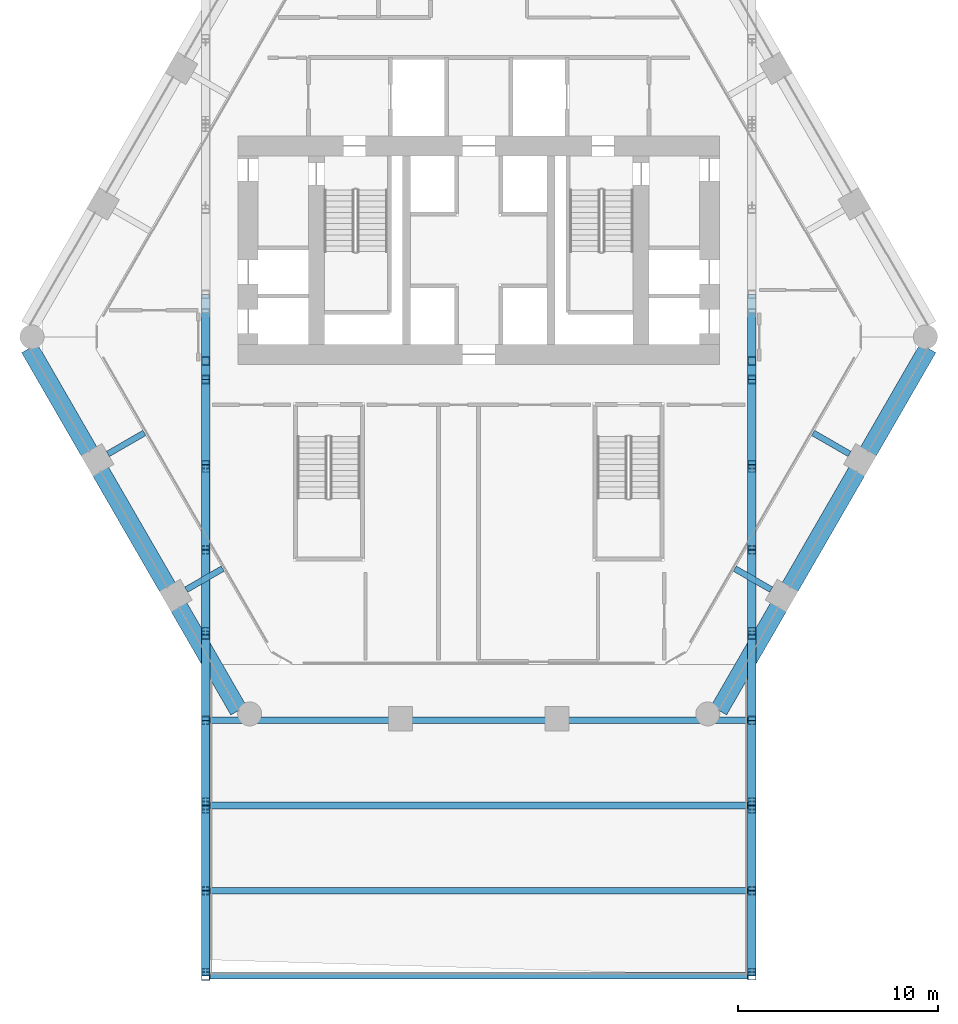
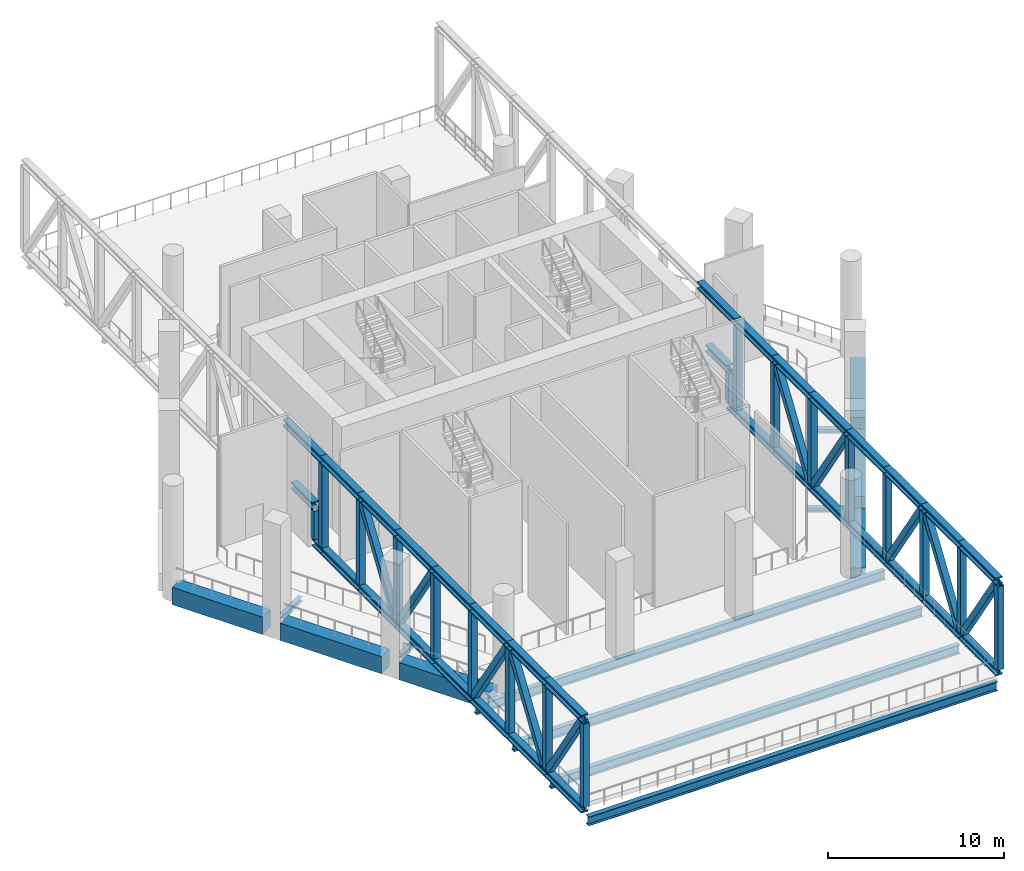
# One storey, part 2 of 16: 62 members, 14 beams.
"""IFC4 building model written with IfcOpenShell, lengths in metres."""

from ifc_helpers import new_model, si_unit, direction, frame, origin, origin_2d, place, context, subcontext, project, spatial, rectangle, hollow_rectangle, i_section, extrude, material, material_profile, profile_set, type_object, element, save


model = new_model("IFC4")

# Units and contexts
model_context = context("Model", 3, precision=1e-05, world=origin(), true_north=direction((0.0, 1.0)))
body_context = subcontext(model_context, "Body", "Model", "MODEL_VIEW")
ifc_project = project(units=[si_unit("LENGTHUNIT", "METRE"), si_unit("AREAUNIT", "SQUARE_METRE"), si_unit("VOLUMEUNIT", "CUBIC_METRE"), si_unit("PLANEANGLEUNIT", "RADIAN"), si_unit("MASSUNIT", "GRAM", prefix="KILO")], contexts=[model_context])

# Site, building, storey
site_placement = place(None, origin())
site = spatial("IfcSite", under=ifc_project, at=site_placement, CompositionType="ELEMENT")
building_placement = place(site_placement, origin())
building = spatial("IfcBuilding", under=site, at=building_placement, Name="Ostrander Bayou Hotel Tower", CompositionType="ELEMENT")
storey_placement = place(building_placement, frame((0.0, 0.0, 108.0)))
storey = spatial("IfcBuildingStorey", under=building, at=storey_placement, Name="L27", CompositionType="ELEMENT", Elevation=108.0)

# Beams
ifc_material_1 = material(Name="Steel ASTM A992", Category="steel")
ifc_material_profile_1 = material_profile(ifc_material_1, i_section(OverallWidth=0.3046875, OverallDepth=0.307861328125, WebThickness=0.010009765625, FlangeThickness=0.015380859375, at=origin_2d()))
ifc_profile_set_1 = profile_set([ifc_material_profile_1], Name="Steel ASTM A992")
beam_type_1 = type_object("IfcBeamType", Name="LB1 loggia bracket W12x65", PredefinedType="BEAM", material=ifc_profile_set_1)
for number, where, z_axis, x_axis, name in (
    (1, (-18.494384765625, -6.166748046875, -0.453857421875), (0.866009402589, 0.500027713859, 0.0), (-0.500027713859, 0.866009402589, 0.0), "LB1 L27 SW1"),
    (2, (-14.587646484375, -12.933349609375, -0.453857421875), (0.866009402589, 0.500027713859, 0.0), (-0.500027713859, 0.866009402589, 0.0), "LB1 L27 SW2"),
    (3, (14.587646484375, -12.933349609375, -0.453857421875), (-0.866009402589, 0.500027713859, 0.0), (-0.500027713859, -0.866009402589, 0.0), "LB1 L27 SE1"),
    (4, (18.494384765625, -6.166748046875, -0.453857421875), (-0.866009402589, 0.500027713859, 0.0), (-0.500027713859, -0.866009402589, 0.0), "LB1 L27 SE2"),
):
    element("IfcBeam", number, at=place(storey_placement, frame(where, z_axis=z_axis, x_axis=x_axis)), inside=storey, type_object=beam_type_1, Name=name, PredefinedType="BEAM", context=body_context, shape_type="SweptSolid", body=[
        extrude(i_section(OverallWidth=0.3046875, OverallDepth=0.307861328125, WebThickness=0.010009765625, FlangeThickness=0.015380859375, at=origin_2d()), origin(), (0.0, 0.0, 1.0), 2.10009765625),
    ])
ifc_material_2 = material(Name="Concrete f'c 70 MPa", Category="concrete")
ifc_material_profile_2 = material_profile(ifc_material_2, rectangle(XDim=0.89990234375, YDim=1.199951171875, at=origin_2d()))
ifc_profile_set_2 = profile_set([ifc_material_profile_2], Name="Concrete f'c 70 MPa")
beam_type_2 = type_object("IfcBeamType", Name="SP2 spandrel beam 900 x 1200 mm f'c 70 MPa", PredefinedType="SPANDREL", material=ifc_profile_set_2)
beam_1_placement = place(storey_placement, frame((-22.406494140625, -0.890869140625, -0.60009765625), z_axis=(0.500001626982, -0.866024464444, 0.0), x_axis=(0.866024464444, 0.500001626982, 0.0)))
element("IfcBeam", 5, at=beam_1_placement, inside=storey, type_object=beam_type_2, Name="SP2 L27 SW-1", PredefinedType="SPANDREL", context=body_context, shape_type="SweptSolid", body=[
    extrude(rectangle(XDim=0.89990234375, YDim=1.199951171875, at=origin_2d()), origin(), (0.0, 0.0, 1.0), 5.955078125),
])
beam_2_placement = place(storey_placement, frame((-18.85888671875, -7.035400390625, -0.60009765625), z_axis=(0.499999023957, -0.866025967302, 0.0), x_axis=(0.866025967302, 0.499999023957, 0.0)))
element("IfcBeam", 6, at=beam_2_placement, inside=storey, type_object=beam_type_2, Name="SP2 L27 SW-2", PredefinedType="SPANDREL", context=body_context, shape_type="SweptSolid", body=[
    extrude(rectangle(XDim=0.89990234375, YDim=1.199951171875, at=origin_2d()), origin(), (0.0, 0.0, 1.0), 6.67333984375),
])
for number, where, z_axis, x_axis, name in (
    (7, (-14.9521484375, -13.802001953125, -0.60009765625), (0.499988630717, -0.866031967744, 0.0), (0.866031967744, 0.499988630717, 0.0), "SP2 L27 SW-3"),
    (8, (11.974853515625, -18.958984375, -0.60009765625), (0.499988630717, 0.866031967744, 0.0), (-0.866031967744, 0.499988630717, 0.0), "SP2 L27 SE-1"),
):
    element("IfcBeam", number, at=place(storey_placement, frame(where, z_axis=z_axis, x_axis=x_axis)), inside=storey, type_object=beam_type_2, Name=name, PredefinedType="SPANDREL", context=body_context, shape_type="SweptSolid", body=[
        extrude(rectangle(XDim=0.89990234375, YDim=1.199951171875, at=origin_2d()), origin(), (0.0, 0.0, 1.0), 5.954833984375),
    ])
beam_3_placement = place(storey_placement, frame((15.522216796875, -12.814697265625, -0.60009765625), z_axis=(0.499999023957, 0.866025967302, 0.0), x_axis=(-0.866025967302, 0.499999023957, 0.0)))
element("IfcBeam", 9, at=beam_3_placement, inside=storey, type_object=beam_type_2, Name="SP2 L27 SE-2", PredefinedType="SPANDREL", context=body_context, shape_type="SweptSolid", body=[
    extrude(rectangle(XDim=0.89990234375, YDim=1.199951171875, at=origin_2d()), origin(), (0.0, 0.0, 1.0), 6.67333984375),
])
beam_4_placement = place(storey_placement, frame((19.428955078125, -6.048095703125, -0.60009765625), z_axis=(0.500001626982, 0.866024464444, 0.0), x_axis=(-0.866024464444, 0.500001626982, 0.0)))
element("IfcBeam", 10, at=beam_4_placement, inside=storey, type_object=beam_type_2, Name="SP2 L27 SE-3", PredefinedType="SPANDREL", context=body_context, shape_type="SweptSolid", body=[
    extrude(rectangle(XDim=0.89990234375, YDim=1.199951171875, at=origin_2d()), origin(), (0.0, 0.0, 1.0), 5.955078125),
])
ifc_material_3 = material(Name="Steel ASTM A992", Category="steel")
ifc_material_profile_3 = material_profile(ifc_material_3, i_section(OverallWidth=0.32763671875, OverallDepth=0.621826171875, WebThickness=0.015380859375, FlangeThickness=0.0244140625, at=origin_2d()))
ifc_profile_set_3 = profile_set([ifc_material_profile_3], Name="Steel ASTM A992")
beam_type_3 = type_object("IfcBeamType", Name="TF1 bar floor beam W24x131", PredefinedType="BEAM", material=ifc_profile_set_3)
for number, where, z_axis, x_axis, name in (
    (11, (-13.442138671875, -19.450927734375, -0.61083984375), (1.0, 0.0, 0.0), (0.0, 1.0, 0.0), "TF1 SB2S L5-1"),
    (12, (-13.442138671875, -23.70068359375, -0.61083984375), (1.0, 0.0, 0.0), (0.0, 1.0, 0.0), "TF1 SB2S L5-2"),
    (13, (-13.442138671875, -27.9501953125, -0.61083984375), (1.0, 0.0, 0.0), (0.0, 1.0, 0.0), "TF1 SB2S L5-3"),
    (14, (-13.442138671875, -32.199951171875, -0.61083984375), (1.0, 0.0, 0.0), (0.0, 1.0, 0.0), "TF1 SB2S L5-4"),
):
    element("IfcBeam", number, at=place(storey_placement, frame(where, z_axis=z_axis, x_axis=x_axis)), inside=storey, type_object=beam_type_3, Name=name, PredefinedType="BEAM", context=body_context, shape_type="SweptSolid", body=[
        extrude(i_section(OverallWidth=0.32763671875, OverallDepth=0.621826171875, WebThickness=0.015380859375, FlangeThickness=0.0244140625, at=origin_2d()), origin(), (0.0, 0.0, 1.0), 26.88427734375),
    ])

# Members
ifc_material_4 = material(Name="Steel ASTM A992", Category="steel")
ifc_material_profile_4 = material_profile(ifc_material_4, i_section(OverallWidth=0.43212890625, OverallDepth=0.497802734375, WebThickness=0.0556640625, FlangeThickness=0.0888671875, at=origin_2d()))
ifc_profile_set_4 = profile_set([ifc_material_profile_4], Name="Steel ASTM A992")
member_type_1 = type_object("IfcMemberType", Name="TT1 through-truss chord W14x500", PredefinedType="CHORD", material=ifc_profile_set_4)
member_1_placement = place(storey_placement, frame((-13.6201171875, 0.872802734375, 2.748779296875), z_axis=(0.0, -1.0, 0.0), x_axis=(1.0, 0.0, 0.0)))
element("IfcMember", 15, at=member_1_placement, inside=storey, type_object=member_type_1, Name="TT1 SB2A B8 (over the passage)", PredefinedType="CHORD", context=body_context, shape_type="SweptSolid", body=[
    extrude(i_section(OverallWidth=0.43212890625, OverallDepth=0.497802734375, WebThickness=0.0556640625, FlangeThickness=0.0888671875, at=origin_2d()), origin(), (0.0, 0.0, 1.0), 2.400146484375),
])
member_2_placement = place(storey_placement, frame((-13.6201171875, -1.52734375, 0.248779296875), z_axis=(0.0, -1.0, 0.0), x_axis=(1.0, 0.0, 0.0)))
element("IfcMember", 16, at=member_2_placement, inside=storey, type_object=member_type_1, Name="TT1 SB2A B8", PredefinedType="CHORD", context=body_context, shape_type="SweptSolid", body=[
    extrude(i_section(OverallWidth=0.43212890625, OverallDepth=0.497802734375, WebThickness=0.0556640625, FlangeThickness=0.0888671875, at=origin_2d()), origin(), (0.0, 0.0, 1.0), 0.9248046875),
])
for number, where, z_axis, x_axis, name in (
    (17, (-13.6201171875, 1.797607421875, 6.551025390625), (0.0, -1.0, 0.0), (1.0, 0.0, 0.0), "TT1 SB2A T8"),
    (18, (-13.6201171875, -2.4521484375, 0.248779296875), (0.0, -1.0, 0.0), (1.0, 0.0, 0.0), "TT1 SB2A B9"),
    (19, (-13.6201171875, -2.4521484375, 6.551025390625), (0.0, -1.0, 0.0), (1.0, 0.0, 0.0), "TT1 SB2A T9"),
):
    element("IfcMember", number, at=place(storey_placement, frame(where, z_axis=z_axis, x_axis=x_axis)), inside=storey, type_object=member_type_1, Name=name, PredefinedType="CHORD", context=body_context, shape_type="SweptSolid", body=[
        extrude(i_section(OverallWidth=0.43212890625, OverallDepth=0.497802734375, WebThickness=0.0556640625, FlangeThickness=0.0888671875, at=origin_2d()), origin(), (0.0, 0.0, 1.0), 4.249755859375),
    ])
for number, where, z_axis, x_axis, name in (
    (20, (-13.6201171875, -6.701904296875, 0.248779296875), (0.0, -1.0, 0.0), (1.0, 0.0, 0.0), "TT1 SB2A B10"),
    (21, (-13.6201171875, -6.701904296875, 6.551025390625), (0.0, -1.0, 0.0), (1.0, 0.0, 0.0), "TT1 SB2A T10"),
):
    element("IfcMember", number, at=place(storey_placement, frame(where, z_axis=z_axis, x_axis=x_axis)), inside=storey, type_object=member_type_1, Name=name, PredefinedType="CHORD", context=body_context, shape_type="SweptSolid", body=[
        extrude(i_section(OverallWidth=0.43212890625, OverallDepth=0.497802734375, WebThickness=0.0556640625, FlangeThickness=0.0888671875, at=origin_2d()), origin(), (0.0, 0.0, 1.0), 4.24951171875),
    ])
for number, where, z_axis, x_axis, name in (
    (22, (-13.6201171875, -10.951416015625, 0.248779296875), (0.0, -1.0, 0.0), (1.0, 0.0, 0.0), "TT1 SB2A B11"),
    (23, (-13.6201171875, -10.951416015625, 6.551025390625), (0.0, -1.0, 0.0), (1.0, 0.0, 0.0), "TT1 SB2A T11"),
    (24, (-13.6201171875, -15.201171875, 0.248779296875), (0.0, -1.0, 0.0), (1.0, 0.0, 0.0), "TT1 SB2A B12"),
    (25, (-13.6201171875, -15.201171875, 6.551025390625), (0.0, -1.0, 0.0), (1.0, 0.0, 0.0), "TT1 SB2A T12"),
    (26, (-13.6201171875, -19.450927734375, 0.248779296875), (0.0, -1.0, 0.0), (1.0, 0.0, 0.0), "TT1 SB2A B13"),
    (27, (-13.6201171875, -19.450927734375, 6.551025390625), (0.0, -1.0, 0.0), (1.0, 0.0, 0.0), "TT1 SB2A T13"),
):
    element("IfcMember", number, at=place(storey_placement, frame(where, z_axis=z_axis, x_axis=x_axis)), inside=storey, type_object=member_type_1, Name=name, PredefinedType="CHORD", context=body_context, shape_type="SweptSolid", body=[
        extrude(i_section(OverallWidth=0.43212890625, OverallDepth=0.497802734375, WebThickness=0.0556640625, FlangeThickness=0.0888671875, at=origin_2d()), origin(), (0.0, 0.0, 1.0), 4.249755859375),
    ])
for number, where, z_axis, x_axis, name in (
    (28, (-13.6201171875, -23.70068359375, 0.248779296875), (0.0, -1.0, 0.0), (1.0, 0.0, 0.0), "TT1 SB2A B14"),
    (29, (-13.6201171875, -23.70068359375, 6.551025390625), (0.0, -1.0, 0.0), (1.0, 0.0, 0.0), "TT1 SB2A T14"),
):
    element("IfcMember", number, at=place(storey_placement, frame(where, z_axis=z_axis, x_axis=x_axis)), inside=storey, type_object=member_type_1, Name=name, PredefinedType="CHORD", context=body_context, shape_type="SweptSolid", body=[
        extrude(i_section(OverallWidth=0.43212890625, OverallDepth=0.497802734375, WebThickness=0.0556640625, FlangeThickness=0.0888671875, at=origin_2d()), origin(), (0.0, 0.0, 1.0), 4.24951171875),
    ])
for number, where, z_axis, x_axis, name in (
    (30, (-13.6201171875, -27.9501953125, 0.248779296875), (0.0, -1.0, 0.0), (1.0, 0.0, 0.0), "TT1 SB2A B15"),
    (31, (-13.6201171875, -27.9501953125, 6.551025390625), (0.0, -1.0, 0.0), (1.0, 0.0, 0.0), "TT1 SB2A T15"),
):
    element("IfcMember", number, at=place(storey_placement, frame(where, z_axis=z_axis, x_axis=x_axis)), inside=storey, type_object=member_type_1, Name=name, PredefinedType="CHORD", context=body_context, shape_type="SweptSolid", body=[
        extrude(i_section(OverallWidth=0.43212890625, OverallDepth=0.497802734375, WebThickness=0.0556640625, FlangeThickness=0.0888671875, at=origin_2d()), origin(), (0.0, 0.0, 1.0), 4.249755859375),
    ])
member_3_placement = place(storey_placement, frame((13.6201171875, 0.872802734375, 2.748779296875), z_axis=(0.0, -1.0, 0.0), x_axis=(1.0, 0.0, 0.0)))
element("IfcMember", 32, at=member_3_placement, inside=storey, type_object=member_type_1, Name="TT1 SB2B B8 (over the passage)", PredefinedType="CHORD", context=body_context, shape_type="SweptSolid", body=[
    extrude(i_section(OverallWidth=0.43212890625, OverallDepth=0.497802734375, WebThickness=0.0556640625, FlangeThickness=0.0888671875, at=origin_2d()), origin(), (0.0, 0.0, 1.0), 2.400146484375),
])
member_4_placement = place(storey_placement, frame((13.6201171875, -1.52734375, 0.248779296875), z_axis=(0.0, -1.0, 0.0), x_axis=(1.0, 0.0, 0.0)))
element("IfcMember", 33, at=member_4_placement, inside=storey, type_object=member_type_1, Name="TT1 SB2B B8", PredefinedType="CHORD", context=body_context, shape_type="SweptSolid", body=[
    extrude(i_section(OverallWidth=0.43212890625, OverallDepth=0.497802734375, WebThickness=0.0556640625, FlangeThickness=0.0888671875, at=origin_2d()), origin(), (0.0, 0.0, 1.0), 0.9248046875),
])
for number, where, z_axis, x_axis, name in (
    (34, (13.6201171875, 1.797607421875, 6.551025390625), (0.0, -1.0, 0.0), (1.0, 0.0, 0.0), "TT1 SB2B T8"),
    (35, (13.6201171875, -2.4521484375, 0.248779296875), (0.0, -1.0, 0.0), (1.0, 0.0, 0.0), "TT1 SB2B B9"),
    (36, (13.6201171875, -2.4521484375, 6.551025390625), (0.0, -1.0, 0.0), (1.0, 0.0, 0.0), "TT1 SB2B T9"),
):
    element("IfcMember", number, at=place(storey_placement, frame(where, z_axis=z_axis, x_axis=x_axis)), inside=storey, type_object=member_type_1, Name=name, PredefinedType="CHORD", context=body_context, shape_type="SweptSolid", body=[
        extrude(i_section(OverallWidth=0.43212890625, OverallDepth=0.497802734375, WebThickness=0.0556640625, FlangeThickness=0.0888671875, at=origin_2d()), origin(), (0.0, 0.0, 1.0), 4.249755859375),
    ])
for number, where, z_axis, x_axis, name in (
    (37, (13.6201171875, -6.701904296875, 0.248779296875), (0.0, -1.0, 0.0), (1.0, 0.0, 0.0), "TT1 SB2B B10"),
    (38, (13.6201171875, -6.701904296875, 6.551025390625), (0.0, -1.0, 0.0), (1.0, 0.0, 0.0), "TT1 SB2B T10"),
):
    element("IfcMember", number, at=place(storey_placement, frame(where, z_axis=z_axis, x_axis=x_axis)), inside=storey, type_object=member_type_1, Name=name, PredefinedType="CHORD", context=body_context, shape_type="SweptSolid", body=[
        extrude(i_section(OverallWidth=0.43212890625, OverallDepth=0.497802734375, WebThickness=0.0556640625, FlangeThickness=0.0888671875, at=origin_2d()), origin(), (0.0, 0.0, 1.0), 4.24951171875),
    ])
for number, where, z_axis, x_axis, name in (
    (39, (13.6201171875, -10.951416015625, 0.248779296875), (0.0, -1.0, 0.0), (1.0, 0.0, 0.0), "TT1 SB2B B11"),
    (40, (13.6201171875, -10.951416015625, 6.551025390625), (0.0, -1.0, 0.0), (1.0, 0.0, 0.0), "TT1 SB2B T11"),
    (41, (13.6201171875, -15.201171875, 0.248779296875), (0.0, -1.0, 0.0), (1.0, 0.0, 0.0), "TT1 SB2B B12"),
    (42, (13.6201171875, -15.201171875, 6.551025390625), (0.0, -1.0, 0.0), (1.0, 0.0, 0.0), "TT1 SB2B T12"),
    (43, (13.6201171875, -19.450927734375, 0.248779296875), (0.0, -1.0, 0.0), (1.0, 0.0, 0.0), "TT1 SB2B B13"),
    (44, (13.6201171875, -19.450927734375, 6.551025390625), (0.0, -1.0, 0.0), (1.0, 0.0, 0.0), "TT1 SB2B T13"),
):
    element("IfcMember", number, at=place(storey_placement, frame(where, z_axis=z_axis, x_axis=x_axis)), inside=storey, type_object=member_type_1, Name=name, PredefinedType="CHORD", context=body_context, shape_type="SweptSolid", body=[
        extrude(i_section(OverallWidth=0.43212890625, OverallDepth=0.497802734375, WebThickness=0.0556640625, FlangeThickness=0.0888671875, at=origin_2d()), origin(), (0.0, 0.0, 1.0), 4.249755859375),
    ])
for number, where, z_axis, x_axis, name in (
    (45, (13.6201171875, -23.70068359375, 0.248779296875), (0.0, -1.0, 0.0), (1.0, 0.0, 0.0), "TT1 SB2B B14"),
    (46, (13.6201171875, -23.70068359375, 6.551025390625), (0.0, -1.0, 0.0), (1.0, 0.0, 0.0), "TT1 SB2B T14"),
):
    element("IfcMember", number, at=place(storey_placement, frame(where, z_axis=z_axis, x_axis=x_axis)), inside=storey, type_object=member_type_1, Name=name, PredefinedType="CHORD", context=body_context, shape_type="SweptSolid", body=[
        extrude(i_section(OverallWidth=0.43212890625, OverallDepth=0.497802734375, WebThickness=0.0556640625, FlangeThickness=0.0888671875, at=origin_2d()), origin(), (0.0, 0.0, 1.0), 4.24951171875),
    ])
for number, where, z_axis, x_axis, name in (
    (47, (13.6201171875, -27.9501953125, 0.248779296875), (0.0, -1.0, 0.0), (1.0, 0.0, 0.0), "TT1 SB2B B15"),
    (48, (13.6201171875, -27.9501953125, 6.551025390625), (0.0, -1.0, 0.0), (1.0, 0.0, 0.0), "TT1 SB2B T15"),
):
    element("IfcMember", number, at=place(storey_placement, frame(where, z_axis=z_axis, x_axis=x_axis)), inside=storey, type_object=member_type_1, Name=name, PredefinedType="CHORD", context=body_context, shape_type="SweptSolid", body=[
        extrude(i_section(OverallWidth=0.43212890625, OverallDepth=0.497802734375, WebThickness=0.0556640625, FlangeThickness=0.0888671875, at=origin_2d()), origin(), (0.0, 0.0, 1.0), 4.249755859375),
    ])
ifc_material_5 = material(Name="Steel ASTM A572 Gr 50", Category="steel")
ifc_material_profile_5 = material_profile(ifc_material_5, hollow_rectangle(XDim=0.406494140625, YDim=0.406494140625, WallThickness=0.017822265625, at=origin_2d()))
ifc_profile_set_5 = profile_set([ifc_material_profile_5], Name="Steel ASTM A572 Gr 50")
member_type_2 = type_object("IfcMemberType", Name="TT3 through-truss diagonal box 16 x 16 x 3/4", PredefinedType="BRACE", material=ifc_profile_set_5)
for number, where, z_axis, x_axis, name in (
    (49, (-13.6201171875, -10.748291015625, 0.497802734375), (0.0, 0.552075268927, 0.833794277648), (-1.0, 0.0, 0.0), "TT3 SB2A D10"),
    (50, (-13.6201171875, -11.15478515625, 0.497802734375), (0.0, -0.552075268927, 0.833794277648), (1.0, 0.0, 0.0), "TT3 SB2A D11"),
    (51, (-13.6201171875, -19.654052734375, 0.497802734375), (0.0, -0.552075268927, 0.833794277648), (1.0, 0.0, 0.0), "TT3 SB2A D13"),
    (52, (-13.6201171875, -27.7470703125, 0.497802734375), (0.0, 0.552075268927, 0.833794277648), (-1.0, 0.0, 0.0), "TT3 SB2A D14"),
    (53, (-13.6201171875, -28.153564453125, 0.497802734375), (0.0, -0.552075268927, 0.833794277648), (1.0, 0.0, 0.0), "TT3 SB2A D15"),
    (54, (13.6201171875, -10.748291015625, 0.497802734375), (0.0, 0.552075268927, 0.833794277648), (-1.0, 0.0, 0.0), "TT3 SB2B D10"),
    (55, (13.6201171875, -11.15478515625, 0.497802734375), (0.0, -0.552075268927, 0.833794277648), (1.0, 0.0, 0.0), "TT3 SB2B D11"),
    (56, (13.6201171875, -19.654052734375, 0.497802734375), (0.0, -0.552075268927, 0.833794277648), (1.0, 0.0, 0.0), "TT3 SB2B D13"),
    (57, (13.6201171875, -27.7470703125, 0.497802734375), (0.0, 0.552075268927, 0.833794277648), (-1.0, 0.0, 0.0), "TT3 SB2B D14"),
    (58, (13.6201171875, -28.153564453125, 0.497802734375), (0.0, -0.552075268927, 0.833794277648), (1.0, 0.0, 0.0), "TT3 SB2B D15"),
):
    element("IfcMember", number, at=place(storey_placement, frame(where, z_axis=z_axis, x_axis=x_axis)), inside=storey, type_object=member_type_2, Name=name, PredefinedType="BRACE", context=body_context, shape_type="SweptSolid", body=[
        extrude(hollow_rectangle(XDim=0.406494140625, YDim=0.406494140625, WallThickness=0.017822265625, at=origin_2d()), origin(), (0.0, 0.0, 1.0), 6.96142578125),
    ])
ifc_material_6 = material(Name="Steel ASTM A572 Gr 50", Category="steel")
ifc_material_profile_6 = material_profile(ifc_material_6, hollow_rectangle(XDim=0.406494140625, YDim=0.406494140625, WallThickness=0.017822265625, at=origin_2d()))
ifc_profile_set_6 = profile_set([ifc_material_profile_6], Name="Steel ASTM A572 Gr 50")
member_type_3 = type_object("IfcMemberType", Name="TT4 through-truss post box 16 x 16 x 3/4", PredefinedType="POST", material=ifc_profile_set_6)
for number, where, z_axis, x_axis, name in (
    (59, (-13.6201171875, -2.4521484375, 0.497802734375), (0.0, 0.0, 1.0), (1.0, 0.0, 0.0), "TT4 SB2A P9"),
    (60, (-13.6201171875, -6.701904296875, 0.497802734375), (0.0, 0.0, 1.0), (1.0, 0.0, 0.0), "TT4 SB2A P10"),
    (61, (-13.6201171875, -10.951416015625, 0.497802734375), (0.0, 0.0, 1.0), (1.0, 0.0, 0.0), "TT4 SB2A P11"),
    (62, (-13.6201171875, -15.201171875, 0.497802734375), (0.0, 0.0, 1.0), (1.0, 0.0, 0.0), "TT4 SB2A P12"),
    (63, (-13.6201171875, -19.450927734375, 0.497802734375), (0.0, 0.0, 1.0), (1.0, 0.0, 0.0), "TT4 SB2A P13"),
    (64, (-13.6201171875, -23.70068359375, 0.497802734375), (0.0, 0.0, 1.0), (1.0, 0.0, 0.0), "TT4 SB2A P14"),
    (65, (-13.6201171875, -27.9501953125, 0.497802734375), (0.0, 0.0, 1.0), (1.0, 0.0, 0.0), "TT4 SB2A P15"),
    (66, (-13.6201171875, -32.199951171875, 0.497802734375), (0.0, 0.0, 1.0), (1.0, 0.0, 0.0), "TT4 SB2A P16"),
):
    element("IfcMember", number, at=place(storey_placement, frame(where, z_axis=z_axis, x_axis=x_axis)), inside=storey, type_object=member_type_3, Name=name, PredefinedType="POST", context=body_context, shape_type="SweptSolid", body=[
        extrude(hollow_rectangle(XDim=0.406494140625, YDim=0.406494140625, WallThickness=0.017822265625, at=origin_2d()), origin(), (0.0, 0.0, 1.0), 5.804443359375),
    ])
member_5_placement = place(storey_placement, frame((-13.6201171875, -1.52734375, 0.497802734375), z_axis=(0.0, 0.0, 1.0), x_axis=(1.0, 0.0, 0.0)))
element("IfcMember", 67, at=member_5_placement, inside=storey, type_object=member_type_3, Name="TT4 SB2A KN8b", PredefinedType="POST", context=body_context, shape_type="SweptSolid", body=[
    extrude(hollow_rectangle(XDim=0.406494140625, YDim=0.406494140625, WallThickness=0.017822265625, at=origin_2d()), origin(), (0.0, 0.0, 1.0), 2.002197265625),
])
for number, where, z_axis, x_axis, name in (
    (68, (13.6201171875, -2.4521484375, 0.497802734375), (0.0, 0.0, 1.0), (1.0, 0.0, 0.0), "TT4 SB2B P9"),
    (69, (13.6201171875, -6.701904296875, 0.497802734375), (0.0, 0.0, 1.0), (1.0, 0.0, 0.0), "TT4 SB2B P10"),
    (70, (13.6201171875, -10.951416015625, 0.497802734375), (0.0, 0.0, 1.0), (1.0, 0.0, 0.0), "TT4 SB2B P11"),
    (71, (13.6201171875, -15.201171875, 0.497802734375), (0.0, 0.0, 1.0), (1.0, 0.0, 0.0), "TT4 SB2B P12"),
    (72, (13.6201171875, -19.450927734375, 0.497802734375), (0.0, 0.0, 1.0), (1.0, 0.0, 0.0), "TT4 SB2B P13"),
    (73, (13.6201171875, -23.70068359375, 0.497802734375), (0.0, 0.0, 1.0), (1.0, 0.0, 0.0), "TT4 SB2B P14"),
    (74, (13.6201171875, -27.9501953125, 0.497802734375), (0.0, 0.0, 1.0), (1.0, 0.0, 0.0), "TT4 SB2B P15"),
    (75, (13.6201171875, -32.199951171875, 0.497802734375), (0.0, 0.0, 1.0), (1.0, 0.0, 0.0), "TT4 SB2B P16"),
):
    element("IfcMember", number, at=place(storey_placement, frame(where, z_axis=z_axis, x_axis=x_axis)), inside=storey, type_object=member_type_3, Name=name, PredefinedType="POST", context=body_context, shape_type="SweptSolid", body=[
        extrude(hollow_rectangle(XDim=0.406494140625, YDim=0.406494140625, WallThickness=0.017822265625, at=origin_2d()), origin(), (0.0, 0.0, 1.0), 5.804443359375),
    ])
member_6_placement = place(storey_placement, frame((13.6201171875, -1.52734375, 0.497802734375), z_axis=(0.0, 0.0, 1.0), x_axis=(1.0, 0.0, 0.0)))
element("IfcMember", 76, at=member_6_placement, inside=storey, type_object=member_type_3, Name="TT4 SB2B KN8b", PredefinedType="POST", context=body_context, shape_type="SweptSolid", body=[
    extrude(hollow_rectangle(XDim=0.406494140625, YDim=0.406494140625, WallThickness=0.017822265625, at=origin_2d()), origin(), (0.0, 0.0, 1.0), 2.002197265625),
])

save(model, "model.ifc")
